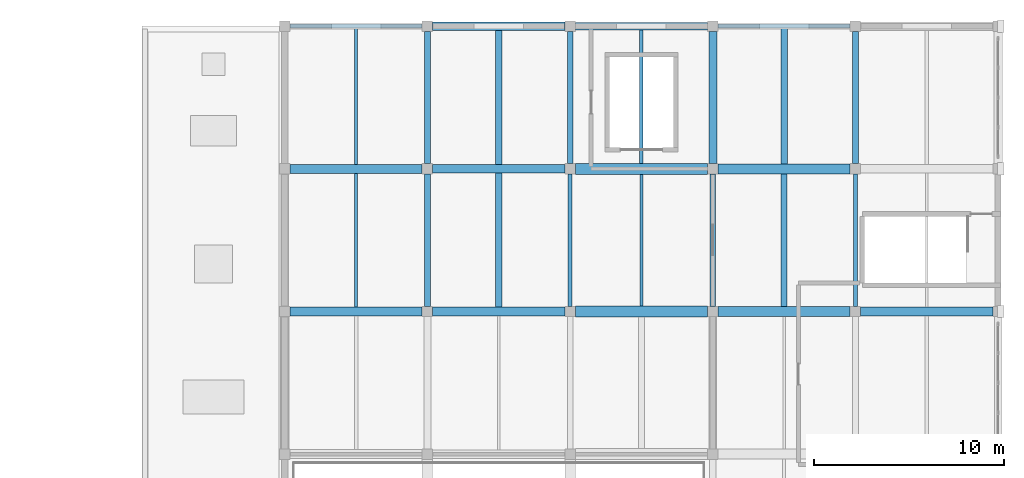
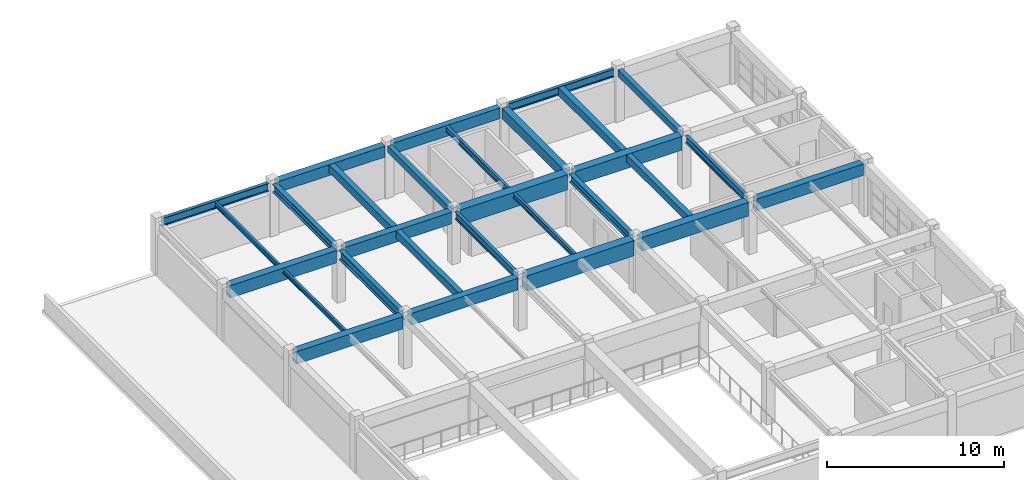
# One storey, part 59 of 101: 29 beams.
"""IFC4 building model written with IfcOpenShell, lengths in metres."""

from ifc_helpers import new_model, si_unit, direction, frame, origin, origin_2d, place, context, subcontext, project, spatial, rectangle, i_section, extrude, material, material_profile, profile_set, type_object, element, save


model = new_model("IFC4")

# Units and contexts
model_context = context("Model", 3, precision=1e-05, world=origin(), true_north=direction((0.0, 1.0)))
body_context = subcontext(model_context, "Body", "Model", "MODEL_VIEW")
ifc_project = project(units=[si_unit("LENGTHUNIT", "METRE"), si_unit("AREAUNIT", "SQUARE_METRE"), si_unit("VOLUMEUNIT", "CUBIC_METRE"), si_unit("PLANEANGLEUNIT", "RADIAN"), si_unit("MASSUNIT", "GRAM", prefix="KILO")], contexts=[model_context])

# Site, building, storey
site_placement = place(None, origin())
site = spatial("IfcSite", under=ifc_project, at=site_placement, CompositionType="ELEMENT")
building_placement = place(site_placement, origin())
building = spatial("IfcBuilding", under=site, at=building_placement, Name="Qasida Concert Hall", CompositionType="ELEMENT")
storey_placement = place(building_placement, frame((0.0, 0.0, 13.199951171875)))
storey = spatial("IfcBuildingStorey", under=building, at=storey_placement, Name="L03", CompositionType="ELEMENT", Elevation=13.199951171875)

# Beams
ifc_material_1 = material(Name="Concrete C40/50", Category="concrete")
ifc_material_profile_1 = material_profile(ifc_material_1, rectangle(XDim=0.419921875, YDim=0.699951171875, at=origin_2d()), Name="RC 420x700")
ifc_profile_set_1 = profile_set([ifc_material_profile_1], Name="Concrete C40/50")
beam_type_1 = type_object("IfcBeamType", Name="BM-B11", PredefinedType="BEAM", material=ifc_profile_set_1)
beam_1_placement = place(storey_placement, frame((150.0, 105.27490234375, 3.27001953125), z_axis=(0.0, 1.0, 0.0), x_axis=(-1.0, 0.0, 0.0)))
element("IfcBeam", 1, at=beam_1_placement, inside=storey, type_object=beam_type_1, Name="L03 girder 1703", PredefinedType="BEAM", context=body_context, shape_type="SweptSolid", body=[
    extrude(rectangle(XDim=0.419921875, YDim=0.699951171875, at=origin_2d()), origin(), (0.0, 0.0, 1.0), 6.9501953125),
])
ifc_material_2 = material(Name="Steel S355J2", Category="steel")
ifc_material_profile_2 = material_profile(ifc_material_2, i_section(OverallWidth=0.300048828125, OverallDepth=0.550048828125, WebThickness=0.014892578125, FlangeThickness=0.029052734375, FilletRadius=0.027099609375, at=origin_2d()), Name="HEB 550")
ifc_profile_set_2 = profile_set([ifc_material_profile_2], Name="Steel S355J2")
beam_type_2 = type_object("IfcBeamType", Name="BM-B12", PredefinedType="BEAM", material=ifc_profile_set_2)
for number, where, z_axis, x_axis, name in (
    (2, (135.0, 105.27490234375, 3.344970703125), (0.0, 1.0, 0.0), (-1.0, 0.0, 0.0), "L03 girder 1694"),
    (3, (150.0, 97.77490234375, 3.344970703125), (0.0, 1.0, 0.0), (-1.0, 0.0, 0.0), "L03 girder 1702"),
):
    element("IfcBeam", number, at=place(storey_placement, frame(where, z_axis=z_axis, x_axis=x_axis)), inside=storey, type_object=beam_type_2, Name=name, PredefinedType="BEAM", context=body_context, shape_type="SweptSolid", body=[
        extrude(i_section(OverallWidth=0.300048828125, OverallDepth=0.550048828125, WebThickness=0.014892578125, FlangeThickness=0.029052734375, FilletRadius=0.027099609375, at=origin_2d()), origin(), (0.0, 0.0, 1.0), 6.9501953125),
    ])
ifc_material_profile_3 = material_profile(ifc_material_2, i_section(OverallWidth=0.300048828125, OverallDepth=0.64990234375, WebThickness=0.01611328125, FlangeThickness=0.031005859375, FilletRadius=0.027099609375, at=origin_2d()), Name="HEB 650")
ifc_profile_set_3 = profile_set([ifc_material_profile_3], Name="Steel S355J2")
beam_type_3 = type_object("IfcBeamType", Name="BM-B13", PredefinedType="BEAM", material=ifc_profile_set_3)
beam_2_placement = place(storey_placement, frame((135.0, 97.77490234375, 3.295166015625), z_axis=(0.0, 1.0, 0.0), x_axis=(-1.0, 0.0, 0.0)))
element("IfcBeam", 4, at=beam_2_placement, inside=storey, type_object=beam_type_3, Name="L03 girder 1693", PredefinedType="BEAM", context=body_context, shape_type="SweptSolid", body=[
    extrude(i_section(OverallWidth=0.300048828125, OverallDepth=0.64990234375, WebThickness=0.01611328125, FlangeThickness=0.031005859375, FilletRadius=0.027099609375, at=origin_2d()), origin(), (0.0, 0.0, 1.0), 6.9501953125),
])
ifc_material_profile_4 = material_profile(ifc_material_1, rectangle(XDim=0.300048828125, YDim=0.449951171875, at=origin_2d()), Name="RC 300x450")
ifc_profile_set_4 = profile_set([ifc_material_profile_4], Name="Concrete C40/50")
beam_type_4 = type_object("IfcBeamType", Name="BM-B3", PredefinedType="BEAM", material=ifc_profile_set_4)
for number, where, z_axis, x_axis, name in (
    (5, (142.5, 105.27490234375, 3.39501953125), (0.0, 1.0, 0.0), (-1.0, 0.0, 0.0), "L03 girder 1698"),
    (6, (157.5, 105.27490234375, 3.39501953125), (0.0, 1.0, 0.0), (-1.0, 0.0, 0.0), "L03 girder 1708"),
):
    element("IfcBeam", number, at=place(storey_placement, frame(where, z_axis=z_axis, x_axis=x_axis)), inside=storey, type_object=beam_type_4, Name=name, PredefinedType="BEAM", context=body_context, shape_type="SweptSolid", body=[
        extrude(rectangle(XDim=0.300048828125, YDim=0.449951171875, at=origin_2d()), origin(), (0.0, 0.0, 1.0), 6.9501953125),
    ])
ifc_material_profile_5 = material_profile(ifc_material_2, i_section(OverallWidth=0.199951171875, OverallDepth=0.5, WebThickness=0.01025390625, FlangeThickness=0.01611328125, FilletRadius=0.02099609375, at=origin_2d()), Name="IPE 500")
ifc_profile_set_5 = profile_set([ifc_material_profile_5], Name="Steel S355J2")
beam_type_5 = type_object("IfcBeamType", Name="BM-B4", PredefinedType="BEAM", material=ifc_profile_set_5)
for number, where, z_axis, x_axis, name in (
    (7, (142.5, 97.77490234375, 3.3701171875), (0.0, 1.0, 0.0), (-1.0, 0.0, 0.0), "L03 girder 1697"),
    (8, (157.5, 97.77490234375, 3.3701171875), (0.0, 1.0, 0.0), (-1.0, 0.0, 0.0), "L03 girder 1707"),
):
    element("IfcBeam", number, at=place(storey_placement, frame(where, z_axis=z_axis, x_axis=x_axis)), inside=storey, type_object=beam_type_5, Name=name, PredefinedType="BEAM", context=body_context, shape_type="SweptSolid", body=[
        extrude(i_section(OverallWidth=0.199951171875, OverallDepth=0.5, WebThickness=0.01025390625, FlangeThickness=0.01611328125, FilletRadius=0.02099609375, at=origin_2d()), origin(), (0.0, 0.0, 1.0), 6.9501953125),
    ])
ifc_material_profile_6 = material_profile(ifc_material_1, rectangle(XDim=0.449951171875, YDim=0.800048828125, at=origin_2d()), Name="RC 450x800")
ifc_profile_set_6 = profile_set([ifc_material_profile_6], Name="Concrete C40/50")
beam_type_6 = type_object("IfcBeamType", Name="BM-G2", PredefinedType="USERDEFINED", material=ifc_profile_set_6)
for number, where, z_axis, x_axis, name in (
    (9, (135.27490234375, 97.5, 3.219970703125), (1.0, 0.0, 0.0), (0.0, 1.0, 0.0), "Primary girder 1672"),
    (10, (157.77490234375, 97.5, 3.219970703125), (1.0, 0.0, 0.0), (0.0, 1.0, 0.0), "Primary girder 1675"),
    (11, (135.27490234375, 105.0, 3.219970703125), (1.0, 0.0, 0.0), (0.0, 1.0, 0.0), "Primary girder 1677"),
):
    element("IfcBeam", number, at=place(storey_placement, frame(where, z_axis=z_axis, x_axis=x_axis)), inside=storey, type_object=beam_type_6, Name=name, ObjectType="GIRDER", PredefinedType="USERDEFINED", context=body_context, shape_type="SweptSolid", body=[
        extrude(rectangle(XDim=0.449951171875, YDim=0.800048828125, at=origin_2d()), origin(), (0.0, 0.0, 1.0), 6.9501953125),
    ])
ifc_material_profile_7 = material_profile(ifc_material_1, rectangle(XDim=0.47998046875, YDim=0.85009765625, at=origin_2d()), Name="RC 480x850")
ifc_profile_set_7 = profile_set([ifc_material_profile_7], Name="Concrete C40/50")
beam_type_7 = type_object("IfcBeamType", Name="BM-G6", PredefinedType="USERDEFINED", material=ifc_profile_set_7)
for number, where, z_axis, x_axis, name in (
    (12, (127.77490234375, 97.5, 3.195068359375), (1.0, 0.0, 0.0), (0.0, 1.0, 0.0), "Primary girder 1671"),
    (13, (127.77490234375, 105.0, 3.195068359375), (1.0, 0.0, 0.0), (0.0, 1.0, 0.0), "Primary girder 1676"),
):
    element("IfcBeam", number, at=place(storey_placement, frame(where, z_axis=z_axis, x_axis=x_axis)), inside=storey, type_object=beam_type_7, Name=name, ObjectType="GIRDER", PredefinedType="USERDEFINED", context=body_context, shape_type="SweptSolid", body=[
        extrude(rectangle(XDim=0.47998046875, YDim=0.85009765625, at=origin_2d()), origin(), (0.0, 0.0, 1.0), 6.9501953125),
    ])
ifc_material_profile_8 = material_profile(ifc_material_1, rectangle(XDim=0.52001953125, YDim=0.949951171875, at=origin_2d()), Name="RC 520x950")
ifc_profile_set_8 = profile_set([ifc_material_profile_8], Name="Concrete C40/50")
beam_type_8 = type_object("IfcBeamType", Name="BM-G7", PredefinedType="USERDEFINED", material=ifc_profile_set_8)
for number, where, z_axis, x_axis, name in (
    (14, (150.27490234375, 97.5, 3.14501953125), (1.0, 0.0, 0.0), (0.0, 1.0, 0.0), "Primary girder 1674"),
    (15, (150.27490234375, 105.0, 3.14501953125), (1.0, 0.0, 0.0), (0.0, 1.0, 0.0), "Primary girder 1679"),
):
    element("IfcBeam", number, at=place(storey_placement, frame(where, z_axis=z_axis, x_axis=x_axis)), inside=storey, type_object=beam_type_8, Name=name, ObjectType="GIRDER", PredefinedType="USERDEFINED", context=body_context, shape_type="SweptSolid", body=[
        extrude(rectangle(XDim=0.52001953125, YDim=0.949951171875, at=origin_2d()), origin(), (0.0, 0.0, 1.0), 6.9501953125),
    ])
ifc_material_3 = material(Name="Concrete C50/60", Category="concrete")
ifc_material_profile_9 = material_profile(ifc_material_3, rectangle(XDim=0.580078125, YDim=1.050048828125, at=origin_2d()), Name="RC 580x1050")
ifc_profile_set_9 = profile_set([ifc_material_profile_9], Name="Concrete C50/60")
beam_type_9 = type_object("IfcBeamType", Name="BM-G8", PredefinedType="USERDEFINED", material=ifc_profile_set_9)
for number, where, z_axis, x_axis, name in (
    (16, (142.77490234375, 97.5, 3.094970703125), (1.0, 0.0, 0.0), (0.0, 1.0, 0.0), "Primary girder 1673"),
    (17, (142.77490234375, 105.0, 3.094970703125), (1.0, 0.0, 0.0), (0.0, 1.0, 0.0), "Primary girder 1678"),
):
    element("IfcBeam", number, at=place(storey_placement, frame(where, z_axis=z_axis, x_axis=x_axis)), inside=storey, type_object=beam_type_9, Name=name, ObjectType="GIRDER", PredefinedType="USERDEFINED", context=body_context, shape_type="SweptSolid", body=[
        extrude(rectangle(XDim=0.580078125, YDim=1.050048828125, at=origin_2d()), origin(), (0.0, 0.0, 1.0), 6.9501953125),
    ])
ifc_material_profile_10 = material_profile(ifc_material_2, i_section(OverallWidth=0.169921875, OverallDepth=0.360107421875, WebThickness=0.008056640625, FlangeThickness=0.0126953125, FilletRadius=0.01806640625, at=origin_2d()), Name="IPE 360")
ifc_profile_set_10 = profile_set([ifc_material_profile_10], Name="Steel S355J2")
beam_type_10 = type_object("IfcBeamType", Name="BM-J2", PredefinedType="JOIST", material=ifc_profile_set_10)
beam_3_placement = place(storey_placement, frame((146.25, 97.7900390625, 3.43994140625), z_axis=(0.0, 1.0, 0.0), x_axis=(-1.0, 0.0, 0.0)))
element("IfcBeam", 18, at=beam_3_placement, inside=storey, type_object=beam_type_10, Name="L03 secondary joist 1721", PredefinedType="JOIST", context=body_context, shape_type="SweptSolid", body=[
    extrude(i_section(OverallWidth=0.169921875, OverallDepth=0.360107421875, WebThickness=0.008056640625, FlangeThickness=0.0126953125, FilletRadius=0.01806640625, at=origin_2d()), origin(), (0.0, 0.0, 1.0), 6.919921875),
])
ifc_material_profile_11 = material_profile(ifc_material_2, i_section(OverallWidth=0.179931640625, OverallDepth=0.39990234375, WebThickness=0.008544921875, FlangeThickness=0.013427734375, FilletRadius=0.02099609375, at=origin_2d()), Name="IPE 400")
ifc_profile_set_11 = profile_set([ifc_material_profile_11], Name="Steel S355J2")
beam_type_11 = type_object("IfcBeamType", Name="BM-J3", PredefinedType="JOIST", material=ifc_profile_set_11)
beam_4_placement = place(storey_placement, frame((146.25, 105.2900390625, 3.420166015625), z_axis=(0.0, 1.0, 0.0), x_axis=(-1.0, 0.0, 0.0)))
element("IfcBeam", 19, at=beam_4_placement, inside=storey, type_object=beam_type_11, Name="L03 secondary joist 1722", PredefinedType="JOIST", context=body_context, shape_type="SweptSolid", body=[
    extrude(i_section(OverallWidth=0.179931640625, OverallDepth=0.39990234375, WebThickness=0.008544921875, FlangeThickness=0.013427734375, FilletRadius=0.02099609375, at=origin_2d()), origin(), (0.0, 0.0, 1.0), 7.010009765625),
])
ifc_material_profile_12 = material_profile(ifc_material_2, i_section(OverallWidth=0.14990234375, OverallDepth=0.300048828125, WebThickness=0.007080078125, FlangeThickness=0.0107421875, FilletRadius=0.014892578125, at=origin_2d()), Name="IPE 300")
ifc_profile_set_12 = profile_set([ifc_material_profile_12], Name="Steel S355J2")
beam_type_12 = type_object("IfcBeamType", Name="BM-J4", PredefinedType="JOIST", material=ifc_profile_set_12)
beam_5_placement = place(storey_placement, frame((131.25, 97.739990234375, 3.469970703125), z_axis=(0.0, 1.0, 0.0), x_axis=(-1.0, 0.0, 0.0)))
element("IfcBeam", 20, at=beam_5_placement, inside=storey, type_object=beam_type_12, Name="L03 secondary joist 1715", PredefinedType="JOIST", context=body_context, shape_type="SweptSolid", body=[
    extrude(i_section(OverallWidth=0.14990234375, OverallDepth=0.300048828125, WebThickness=0.007080078125, FlangeThickness=0.0107421875, FilletRadius=0.014892578125, at=origin_2d()), origin(), (0.0, 0.0, 1.0), 7.02001953125),
])
ifc_material_profile_13 = material_profile(ifc_material_2, i_section(OverallWidth=0.159912109375, OverallDepth=0.330078125, WebThickness=0.007568359375, FlangeThickness=0.011474609375, FilletRadius=0.01806640625, at=origin_2d()), Name="IPE 330")
ifc_profile_set_13 = profile_set([ifc_material_profile_13], Name="Steel S355J2")
beam_type_13 = type_object("IfcBeamType", Name="BM-J5", PredefinedType="JOIST", material=ifc_profile_set_13)
beam_6_placement = place(storey_placement, frame((131.25, 105.239990234375, 3.455078125), z_axis=(0.0, 1.0, 0.0), x_axis=(-1.0, 0.0, 0.0)))
element("IfcBeam", 21, at=beam_6_placement, inside=storey, type_object=beam_type_13, Name="L03 secondary joist 1716", PredefinedType="JOIST", context=body_context, shape_type="SweptSolid", body=[
    extrude(i_section(OverallWidth=0.159912109375, OverallDepth=0.330078125, WebThickness=0.007568359375, FlangeThickness=0.011474609375, FilletRadius=0.01806640625, at=origin_2d()), origin(), (0.0, 0.0, 1.0), 7.155029296875),
])
ifc_material_profile_14 = material_profile(ifc_material_1, rectangle(XDim=0.320068359375, YDim=0.5, at=origin_2d()), Name="RC 320x500")
ifc_profile_set_14 = profile_set([ifc_material_profile_14], Name="Concrete C40/50")
beam_type_14 = type_object("IfcBeamType", Name="BM-J7", PredefinedType="JOIST", material=ifc_profile_set_14)
beam_7_placement = place(storey_placement, frame((138.75, 97.72509765625, 3.3701171875), z_axis=(0.0, 1.0, 0.0), x_axis=(-1.0, 0.0, 0.0)))
element("IfcBeam", 22, at=beam_7_placement, inside=storey, type_object=beam_type_14, Name="L03 secondary joist 1718", PredefinedType="JOIST", context=body_context, shape_type="SweptSolid", body=[
    extrude(rectangle(XDim=0.320068359375, YDim=0.5, at=origin_2d()), origin(), (0.0, 0.0, 1.0), 7.0498046875),
])
beam_8_placement = place(storey_placement, frame((153.75, 97.760009765625, 3.3701171875), z_axis=(0.0, 1.0, 0.0), x_axis=(-1.0, 0.0, 0.0)))
element("IfcBeam", 23, at=beam_8_placement, inside=storey, type_object=beam_type_14, Name="L03 secondary joist 1726", PredefinedType="JOIST", context=body_context, shape_type="SweptSolid", body=[
    extrude(rectangle(XDim=0.320068359375, YDim=0.5, at=origin_2d()), origin(), (0.0, 0.0, 1.0), 6.97998046875),
])
ifc_material_profile_15 = material_profile(ifc_material_1, rectangle(XDim=0.35009765625, YDim=0.550048828125, at=origin_2d()), Name="RC 350x550")
ifc_profile_set_15 = profile_set([ifc_material_profile_15], Name="Concrete C40/50")
beam_type_15 = type_object("IfcBeamType", Name="BM-J8", PredefinedType="JOIST", material=ifc_profile_set_15)
beam_9_placement = place(storey_placement, frame((138.75, 105.22509765625, 3.344970703125), z_axis=(0.0, 1.0, 0.0), x_axis=(-1.0, 0.0, 0.0)))
element("IfcBeam", 24, at=beam_9_placement, inside=storey, type_object=beam_type_15, Name="L03 secondary joist 1719", PredefinedType="JOIST", context=body_context, shape_type="SweptSolid", body=[
    extrude(rectangle(XDim=0.35009765625, YDim=0.550048828125, at=origin_2d()), origin(), (0.0, 0.0, 1.0), 7.0498046875),
])
beam_10_placement = place(storey_placement, frame((153.75, 105.260009765625, 3.344970703125), z_axis=(0.0, 1.0, 0.0), x_axis=(-1.0, 0.0, 0.0)))
element("IfcBeam", 25, at=beam_10_placement, inside=storey, type_object=beam_type_15, Name="L03 secondary joist 1727", PredefinedType="JOIST", context=body_context, shape_type="SweptSolid", body=[
    extrude(rectangle(XDim=0.35009765625, YDim=0.550048828125, at=origin_2d()), origin(), (0.0, 0.0, 1.0), 7.135009765625),
])
ifc_material_profile_16 = material_profile(ifc_material_1, rectangle(XDim=0.39990234375, YDim=0.75, at=origin_2d()), Name="RC 400x750")
ifc_profile_set_16 = profile_set([ifc_material_profile_16], Name="Concrete C40/50")
beam_type_16 = type_object("IfcBeamType", Name="BM-SP1", PredefinedType="SPANDREL", material=ifc_profile_set_16)
beam_11_placement = place(storey_placement, frame((142.77490234375, 112.5, 3.2451171875), z_axis=(1.0, 0.0, 0.0), x_axis=(0.0, 1.0, 0.0)))
element("IfcBeam", 26, at=beam_11_placement, inside=storey, type_object=beam_type_16, Name="Primary girder 1683", PredefinedType="SPANDREL", context=body_context, shape_type="SweptSolid", body=[
    extrude(rectangle(XDim=0.39990234375, YDim=0.75, at=origin_2d()), origin(), (0.0, 0.0, 1.0), 6.9501953125),
])
ifc_material_profile_17 = material_profile(ifc_material_2, i_section(OverallWidth=0.2099609375, OverallDepth=0.550048828125, WebThickness=0.010986328125, FlangeThickness=0.01708984375, FilletRadius=0.02392578125, at=origin_2d()), Name="IPE 550")
ifc_profile_set_17 = profile_set([ifc_material_profile_17], Name="Steel S355J2")
beam_type_17 = type_object("IfcBeamType", Name="BM-SP2", PredefinedType="SPANDREL", material=ifc_profile_set_17)
for number, where, z_axis, x_axis, name in (
    (27, (127.77490234375, 112.5, 3.344970703125), (1.0, 0.0, 0.0), (0.0, 1.0, 0.0), "Primary girder 1681"),
    (28, (150.27490234375, 112.5, 3.344970703125), (1.0, 0.0, 0.0), (0.0, 1.0, 0.0), "Primary girder 1684"),
):
    element("IfcBeam", number, at=place(storey_placement, frame(where, z_axis=z_axis, x_axis=x_axis)), inside=storey, type_object=beam_type_17, Name=name, PredefinedType="SPANDREL", context=body_context, shape_type="SweptSolid", body=[
        extrude(i_section(OverallWidth=0.2099609375, OverallDepth=0.550048828125, WebThickness=0.010986328125, FlangeThickness=0.01708984375, FilletRadius=0.02392578125, at=origin_2d()), origin(), (0.0, 0.0, 1.0), 6.9501953125),
    ])
ifc_material_profile_18 = material_profile(ifc_material_1, rectangle(XDim=0.449951171875, YDim=0.75, at=origin_2d()), Name="RC 450x750")
ifc_profile_set_18 = profile_set([ifc_material_profile_18], Name="Concrete C40/50")
beam_type_18 = type_object("IfcBeamType", Name="BM-SP4", PredefinedType="SPANDREL", material=ifc_profile_set_18)
beam_12_placement = place(storey_placement, frame((135.27490234375, 112.5, 3.2451171875), z_axis=(1.0, 0.0, 0.0), x_axis=(0.0, 1.0, 0.0)))
element("IfcBeam", 29, at=beam_12_placement, inside=storey, type_object=beam_type_18, Name="Primary girder 1682", PredefinedType="SPANDREL", context=body_context, shape_type="SweptSolid", body=[
    extrude(rectangle(XDim=0.449951171875, YDim=0.75, at=origin_2d()), origin(), (0.0, 0.0, 1.0), 6.9501953125),
])

save(model, "model.ifc")
